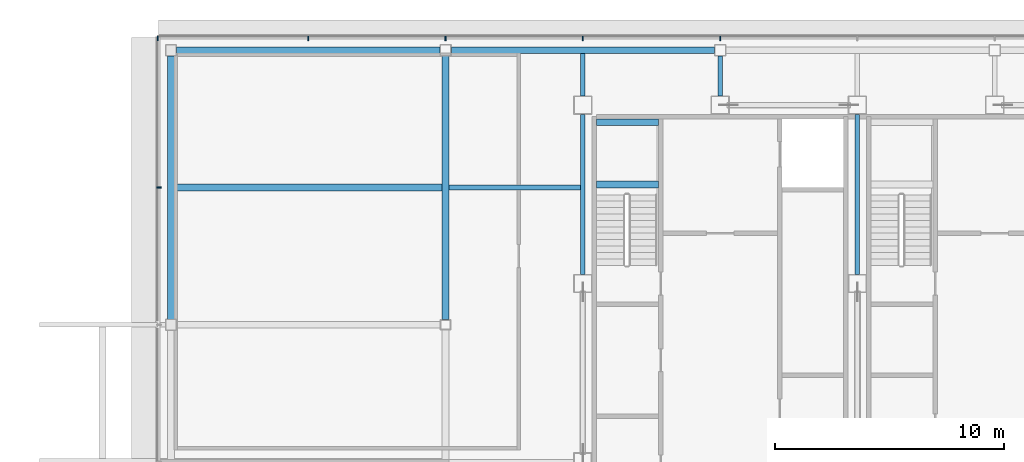
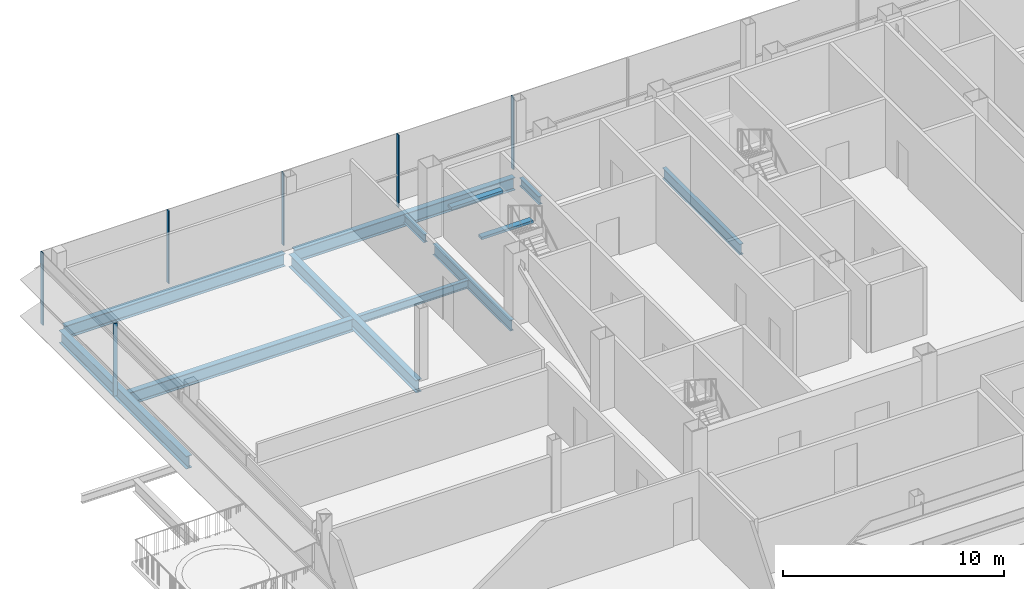
# One storey, part 10 of 26: 12 beams, 6 members, 2 elements without a shape of their own.
"""IFC4 building model written with IfcOpenShell, lengths in metres."""

from ifc_helpers import new_model, si_unit, direction, frame, origin, origin_2d, place, context, subcontext, project, spatial, rectangle, i_section, extrude, material, material_profile, profile_set, type_object, element, aggregate, save


model = new_model("IFC4")

# Units and contexts
model_context = context("Model", 3, precision=1e-05, world=origin(), true_north=direction((0.0, 1.0)))
body_context = subcontext(model_context, "Body", "Model", "MODEL_VIEW")
ifc_project = project(units=[si_unit("LENGTHUNIT", "METRE"), si_unit("AREAUNIT", "SQUARE_METRE"), si_unit("VOLUMEUNIT", "CUBIC_METRE"), si_unit("PLANEANGLEUNIT", "RADIAN"), si_unit("MASSUNIT", "GRAM", prefix="KILO")], contexts=[model_context])

# Site, building, storey
site_placement = place(None, origin())
site = spatial("IfcSite", under=ifc_project, at=site_placement, CompositionType="ELEMENT")
building_placement = place(site_placement, origin())
building = spatial("IfcBuilding", under=site, at=building_placement, Name="Sorahane Residences", CompositionType="ELEMENT")
storey_placement = place(building_placement, frame((0.0, 0.0, 337.800048828125)))
storey = spatial("IfcBuildingStorey", under=building, at=storey_placement, Name="L80", CompositionType="ELEMENT", Elevation=337.800048828125)

# Curtain wall, members
ifc_material_1 = material(Name="Dark low-e glass and black anodised aluminium", Category="aluminium")
curtain_wall_type = type_object("IfcCurtainWallType", Name="Curtain wall CW-6 Crown unitised wall", PredefinedType="NOTDEFINED", material=ifc_material_1)
curtain_wall_1_placement = place(storey_placement, origin())
curtain_wall_1 = element("IfcCurtainWall", 1, at=curtain_wall_1_placement, inside=storey, type_object=curtain_wall_type, Name="CW-6 curtain wall L80 N1", PredefinedType="NOTDEFINED")
ifc_material_2 = material(Name="Black anodised aluminium", Category="aluminium")
ifc_material_profile_1 = material_profile(ifc_material_2, rectangle(XDim=0.199951171875, YDim=0.050048828125, at=origin_2d()), Name="Curtain wall mullion CW-6 black anodised aluminium 50x200")
ifc_profile_set_1 = profile_set([ifc_material_profile_1], Name="Black anodised aluminium")
member_type = type_object("IfcMemberType", Name="Curtain wall mullion CW-6 black anodised aluminium 50x200", PredefinedType="MULLION", material=ifc_profile_set_1)
member_1_placement = place(storey_placement, frame((12.0, 48.52001953125, -0.25), z_axis=(0.0, 0.0, 1.0), x_axis=(0.0, 1.0, 0.0)))
member_1 = element("IfcMember", 2, at=member_1_placement, type_object=member_type, Name="CW-6 mullion L80 N1.7", PredefinedType="MULLION", context=body_context, shape_type="SweptSolid", body=[
    extrude(rectangle(XDim=0.199951171875, YDim=0.050048828125, at=origin_2d()), origin(), (0.0, 0.0, 1.0), 4.0),
])
member_2_placement = place(storey_placement, frame((6.0, 48.52001953125, -0.25), z_axis=(0.0, 0.0, 1.0), x_axis=(0.0, 1.0, 0.0)))
member_2 = element("IfcMember", 3, at=member_2_placement, type_object=member_type, Name="CW-6 mullion L80 N1.8", PredefinedType="MULLION", context=body_context, shape_type="SweptSolid", body=[
    extrude(rectangle(XDim=0.199951171875, YDim=0.050048828125, at=origin_2d()), origin(), (0.0, 0.0, 1.0), 4.0),
])
member_3_placement = place(storey_placement, frame((0.0, 48.52001953125, -0.25), z_axis=(0.0, 0.0, 1.0), x_axis=(0.0, 1.0, 0.0)))
member_3 = element("IfcMember", 4, at=member_3_placement, type_object=member_type, Name="CW-6 mullion L80 N1.9", PredefinedType="MULLION", context=body_context, shape_type="SweptSolid", body=[
    extrude(rectangle(XDim=0.199951171875, YDim=0.050048828125, at=origin_2d()), origin(), (0.0, 0.0, 1.0), 4.0),
])
member_4_placement = place(storey_placement, frame((-6.0, 48.52001953125, -0.25), z_axis=(0.0, 0.0, 1.0), x_axis=(0.0, 1.0, 0.0)))
member_4 = element("IfcMember", 5, at=member_4_placement, type_object=member_type, Name="CW-6 mullion L80 N1.10", PredefinedType="MULLION", context=body_context, shape_type="SweptSolid", body=[
    extrude(rectangle(XDim=0.199951171875, YDim=0.050048828125, at=origin_2d()), origin(), (0.0, 0.0, 1.0), 4.0),
])
member_5_placement = place(storey_placement, frame((-12.574951171875, 48.52001953125, -0.25), z_axis=(0.0, 0.0, 1.0), x_axis=(0.0, 1.0, 0.0)))
member_5 = element("IfcMember", 6, at=member_5_placement, type_object=member_type, Name="CW-6 mullion L80 N1.11", PredefinedType="MULLION", context=body_context, shape_type="SweptSolid", body=[
    extrude(rectangle(XDim=0.199951171875, YDim=0.050048828125, at=origin_2d()), origin(), (0.0, 0.0, 1.0), 4.0),
])
aggregate(curtain_wall_1, [member_1, member_2, member_3, member_4, member_5])

# Curtain wall, member
curtain_wall_2_placement = place(storey_placement, origin())
curtain_wall_2 = element("IfcCurtainWall", 7, at=curtain_wall_2_placement, inside=storey, type_object=curtain_wall_type, Name="CW-6 curtain wall L80 W1", PredefinedType="NOTDEFINED")
member_6_placement = place(storey_placement, frame((-12.52001953125, 42.0, -0.25), z_axis=(0.0, 0.0, 1.0), x_axis=(-1.0, 0.0, 0.0)))
member_6 = element("IfcMember", 8, at=member_6_placement, type_object=member_type, Name="CW-6 mullion L80 W1.2", PredefinedType="MULLION", context=body_context, shape_type="SweptSolid", body=[
    extrude(rectangle(XDim=0.199951171875, YDim=0.050048828125, at=origin_2d()), origin(), (0.0, 0.0, 1.0), 4.0),
])
aggregate(curtain_wall_2, [member_6])

# Beams
ifc_material_3 = material(Name="Concrete C40", Category="concrete")
ifc_material_profile_2 = material_profile(ifc_material_3, rectangle(XDim=0.300048828125, YDim=0.139892578125, at=origin_2d()), Name="300x140")
ifc_profile_set_2 = profile_set([ifc_material_profile_2], Name="Concrete C40")
beam_type_1 = type_object("IfcBeamType", Name="RC landing beam 300 x 140 Concrete C40", PredefinedType="BEAM", material=ifc_profile_set_2)
for number, where, z_axis, x_axis, name in (
    (9, (6.60009765625, 42.1298828125, 1.72998046875), (1.0, 0.0, 0.0), (0.0, 1.0, 0.0), "Landing beam"),
    (10, (6.60009765625, 44.85009765625, 1.72998046875), (1.0, 0.0, 0.0), (0.0, 1.0, 0.0), "Landing beam"),
):
    element("IfcBeam", number, at=place(storey_placement, frame(where, z_axis=z_axis, x_axis=x_axis)), inside=storey, type_object=beam_type_1, Name=name, PredefinedType="BEAM", context=body_context, shape_type="SweptSolid", body=[
        extrude(rectangle(XDim=0.300048828125, YDim=0.139892578125, at=origin_2d()), origin(), (0.0, 0.0, 1.0), 2.699951171875),
    ])
ifc_material_4 = material(Name="Steel Q355B", Category="steel")
ifc_material_profile_3 = material_profile(ifc_material_4, i_section(OverallWidth=0.199951171875, OverallDepth=0.449951171875, WebThickness=0.009033203125, FlangeThickness=0.013916015625, FilletRadius=0.02001953125, at=origin_2d()), Name="HN 450x200x9x14")
ifc_profile_set_3 = profile_set([ifc_material_profile_3], Name="Steel Q355B")
beam_type_2 = type_object("IfcBeamType", Name="Steel floor beam HN 450x200x9x14 Q355B", PredefinedType="BEAM", material=ifc_profile_set_3)
beam_1_placement = place(storey_placement, frame((6.0, 46.0, -0.47509765625), z_axis=(0.0, 1.0, 0.0), x_axis=(-1.0, 0.0, 0.0)))
element("IfcBeam", 11, at=beam_1_placement, inside=storey, type_object=beam_type_2, Name="Beam L80 026", PredefinedType="BEAM", context=body_context, shape_type="SweptSolid", body=[
    extrude(i_section(OverallWidth=0.199951171875, OverallDepth=0.449951171875, WebThickness=0.009033203125, FlangeThickness=0.013916015625, FilletRadius=0.02001953125, at=origin_2d()), origin(), (0.0, 0.0, 1.0), 1.85009765625),
])
beam_2_placement = place(storey_placement, frame((12.0, 46.0, -0.47509765625), z_axis=(0.0, 1.0, 0.0), x_axis=(-1.0, 0.0, 0.0)))
element("IfcBeam", 12, at=beam_2_placement, inside=storey, type_object=beam_type_2, Name="Beam L80 028", PredefinedType="BEAM", context=body_context, shape_type="SweptSolid", body=[
    extrude(i_section(OverallWidth=0.199951171875, OverallDepth=0.449951171875, WebThickness=0.009033203125, FlangeThickness=0.013916015625, FilletRadius=0.02001953125, at=origin_2d()), origin(), (0.0, 0.0, 1.0), 1.75),
])
beam_3_placement = place(storey_placement, frame((0.14990234375, 42.0, -0.47509765625), z_axis=(1.0, 0.0, 0.0), x_axis=(0.0, 1.0, 0.0)))
element("IfcBeam", 13, at=beam_3_placement, inside=storey, type_object=beam_type_2, Name="Beam L80 066", PredefinedType="BEAM", context=body_context, shape_type="SweptSolid", body=[
    extrude(i_section(OverallWidth=0.199951171875, OverallDepth=0.449951171875, WebThickness=0.009033203125, FlangeThickness=0.013916015625, FilletRadius=0.02001953125, at=origin_2d()), origin(), (0.0, 0.0, 1.0), 5.75),
])
ifc_material_5 = material(Name="Steel Q355B", Category="steel")
ifc_material_profile_4 = material_profile(ifc_material_5, i_section(OverallWidth=0.199951171875, OverallDepth=0.60009765625, WebThickness=0.010986328125, FlangeThickness=0.01708984375, FilletRadius=0.02392578125, at=origin_2d()), Name="HN 600x200x11x17")
ifc_profile_set_4 = profile_set([ifc_material_profile_4], Name="Steel Q355B")
beam_type_3 = type_object("IfcBeamType", Name="Steel floor beam HN 600x200x11x17 Q355B", PredefinedType="BEAM", material=ifc_profile_set_4)
for number, where, z_axis, x_axis, name in (
    (14, (6.0, 38.199951171875, -0.550048828125), (0.0, 1.0, 0.0), (-1.0, 0.0, 0.0), "Beam L80 025"),
    (15, (18.0, 38.199951171875, -0.550048828125), (0.0, 1.0, 0.0), (-1.0, 0.0, 0.0), "Beam L80 032"),
):
    element("IfcBeam", number, at=place(storey_placement, frame(where, z_axis=z_axis, x_axis=x_axis)), inside=storey, type_object=beam_type_3, Name=name, PredefinedType="BEAM", context=body_context, shape_type="SweptSolid", body=[
        extrude(i_section(OverallWidth=0.199951171875, OverallDepth=0.60009765625, WebThickness=0.010986328125, FlangeThickness=0.01708984375, FilletRadius=0.02392578125, at=origin_2d()), origin(), (0.0, 0.0, 1.0), 7.0),
    ])
ifc_material_6 = material(Name="Steel Q355B", Category="steel")
ifc_material_profile_5 = material_profile(ifc_material_6, i_section(OverallWidth=0.300048828125, OverallDepth=0.699951171875, WebThickness=0.012939453125, FlangeThickness=0.02392578125, FilletRadius=0.028076171875, at=origin_2d()), Name="HN 700x300x13x24")
ifc_profile_set_5 = profile_set([ifc_material_profile_5], Name="Steel Q355B")
beam_type_4 = type_object("IfcBeamType", Name="Steel floor beam HN 700x300x13x24 Q355B", PredefinedType="BEAM", material=ifc_profile_set_5)
for number, where, z_axis, x_axis, name in (
    (16, (-11.75, 48.0, -0.60009765625), (1.0, 0.0, 0.0), (0.0, 1.0, 0.0), "Beam L80 010"),
    (17, (0.25, 48.0, -0.60009765625), (1.0, 0.0, 0.0), (0.0, 1.0, 0.0), "Beam L80 011"),
):
    element("IfcBeam", number, at=place(storey_placement, frame(where, z_axis=z_axis, x_axis=x_axis)), inside=storey, type_object=beam_type_4, Name=name, PredefinedType="BEAM", context=body_context, shape_type="SweptSolid", body=[
        extrude(i_section(OverallWidth=0.300048828125, OverallDepth=0.699951171875, WebThickness=0.012939453125, FlangeThickness=0.02392578125, FilletRadius=0.028076171875, at=origin_2d()), origin(), (0.0, 0.0, 1.0), 11.5),
    ])
for number, where, z_axis, x_axis, name in (
    (18, (-12.0, 36.22509765625, -0.60009765625), (0.0, 1.0, 0.0), (-1.0, 0.0, 0.0), "Beam L80 016"),
    (19, (0.0, 36.22509765625, -0.60009765625), (0.0, 1.0, 0.0), (-1.0, 0.0, 0.0), "Beam L80 020"),
):
    element("IfcBeam", number, at=place(storey_placement, frame(where, z_axis=z_axis, x_axis=x_axis)), inside=storey, type_object=beam_type_4, Name=name, PredefinedType="BEAM", context=body_context, shape_type="SweptSolid", body=[
        extrude(i_section(OverallWidth=0.300048828125, OverallDepth=0.699951171875, WebThickness=0.012939453125, FlangeThickness=0.02392578125, FilletRadius=0.028076171875, at=origin_2d()), origin(), (0.0, 0.0, 1.0), 11.52490234375),
    ])
beam_4_placement = place(storey_placement, frame((-11.85009765625, 42.0, -0.60009765625), z_axis=(1.0, 0.0, 0.0), x_axis=(0.0, 1.0, 0.0)))
element("IfcBeam", 20, at=beam_4_placement, inside=storey, type_object=beam_type_4, Name="Beam L80 065", PredefinedType="BEAM", context=body_context, shape_type="SweptSolid", body=[
    extrude(i_section(OverallWidth=0.300048828125, OverallDepth=0.699951171875, WebThickness=0.012939453125, FlangeThickness=0.02392578125, FilletRadius=0.028076171875, at=origin_2d()), origin(), (0.0, 0.0, 1.0), 11.7001953125),
])

save(model, "model.ifc")
